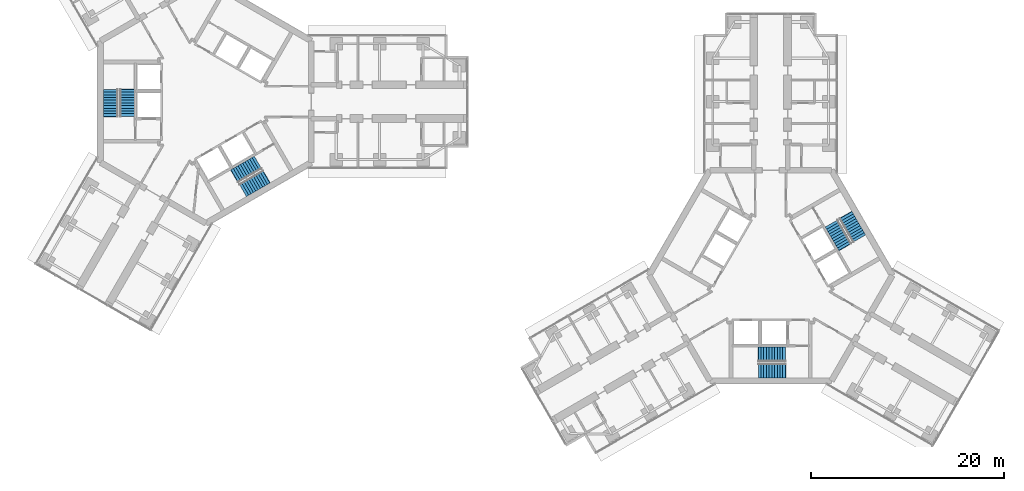
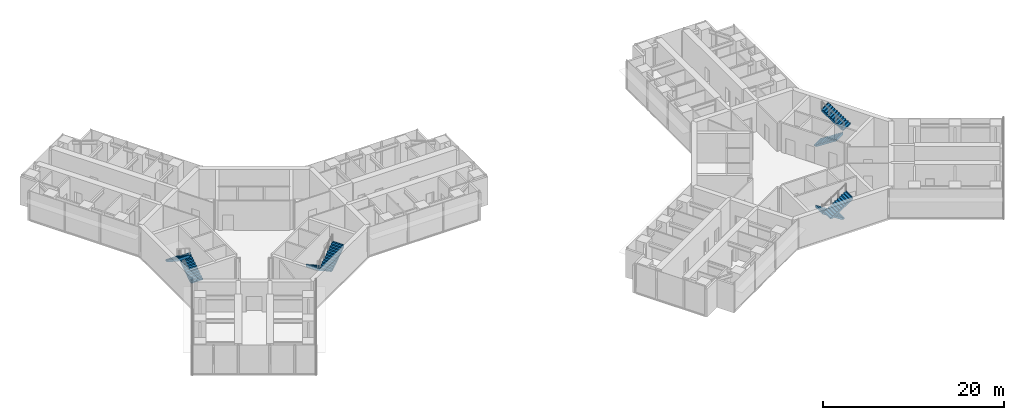
# One storey, part 21 of 22: 8 stair flights, 4 elements without a shape of their own.
"""IFC4 building model written with IfcOpenShell, lengths in metres."""

from ifc_helpers import new_model, si_unit, direction, frame, origin, place, context, subcontext, project, spatial, polyline, outline, extrude, material, type_object, element, aggregate, save


model = new_model("IFC4")

# Units and contexts
model_context = context("Model", 3, precision=1e-05, world=origin(), true_north=direction((0.0, 1.0)))
body_context = subcontext(model_context, "Body", "Model", "MODEL_VIEW")
ifc_project = project(units=[si_unit("LENGTHUNIT", "METRE"), si_unit("AREAUNIT", "SQUARE_METRE"), si_unit("VOLUMEUNIT", "CUBIC_METRE"), si_unit("PLANEANGLEUNIT", "RADIAN"), si_unit("MASSUNIT", "GRAM", prefix="KILO")], contexts=[model_context])

# Site, building, storey
site_placement = place(None, origin())
site = spatial("IfcSite", under=ifc_project, at=site_placement, CompositionType="ELEMENT")
building_placement = place(site_placement, origin())
building = spatial("IfcBuilding", under=site, at=building_placement, Name="Upepo Twin Towers", CompositionType="ELEMENT")
storey_placement = place(building_placement, frame((0.0, 0.0, 125.5)))
storey = spatial("IfcBuildingStorey", under=building, at=storey_placement, Name="L30", CompositionType="ELEMENT", Elevation=125.5)

# Stair, stair flights
ifc_material_1 = material(Name="Concrete C40/50", Category="concrete")
stair_type = type_object("IfcStairType", Name="Core stair, two flights", PredefinedType="HALF_TURN_STAIR", material=ifc_material_1)
stair_1_placement = place(storey_placement, origin())
stair_1 = element("IfcStair", 1, at=stair_1_placement, inside=storey, type_object=stair_type, Name="T1 stair S1 L30", PredefinedType="HALF_TURN_STAIR")
ifc_material_2 = material(Name="Concrete C40/50", Category="concrete")
stair_flight_type = type_object("IfcStairFlightType", Name="Stair flight 1500 RC", PredefinedType="STRAIGHT", material=ifc_material_2)
stair_flight_1_placement = place(storey_placement, frame((-8.14990234375, -1.52001953125, 0.0), z_axis=(0.0, 0.0, 1.0), x_axis=(0.0, 1.0, 0.0)))
stair_flight_1 = element("IfcStairFlight", 2, at=stair_flight_1_placement, type_object=stair_flight_type, Name="Stair S1 flight 1", NumberOfRisers=11, NumberOfTreads=10, PredefinedType="STRAIGHT", RiserHeight=0.181818182, TreadLength=0.28, context=body_context, shape_type="SweptSolid", body=[
    extrude(outline(polyline([(0.0, 0.0), (0.0, 0.181884765625), (0.280029296875, 0.181884765625), (0.280029296875, 0.363525390625), (0.56005859375, 0.363525390625), (0.56005859375, 0.54541015625), (0.840087890625, 0.54541015625), (0.840087890625, 0.727294921875), (1.1201171875, 0.727294921875), (1.1201171875, 0.9091796875), (1.39990234375, 0.9091796875), (1.39990234375, 1.0908203125), (1.679931640625, 1.0908203125), (1.679931640625, 1.272705078125), (1.9599609375, 1.272705078125), (1.9599609375, 1.45458984375), (2.239990234375, 1.45458984375), (2.239990234375, 1.636474609375), (2.52001953125, 1.636474609375), (2.52001953125, 1.818115234375), (2.800048828125, 1.818115234375), (2.800048828125, 2.0), (2.85009765625, 2.0), (2.85009765625, 1.639404296875), (0.3251953125, 0.0), (0.0, 0.0)])), frame((0.0, 0.75, 0.0), z_axis=(0.0, -1.0, 0.0), x_axis=(1.0, 0.0, 0.0)), (0.0, 0.0, 1.0), 1.5),
])
stair_flight_2_placement = place(storey_placement, frame((-9.8583984375, 1.280029296875, 2.0), z_axis=(0.0, 0.0, 1.0), x_axis=(0.0, -1.0, 0.0)))
stair_flight_2 = element("IfcStairFlight", 3, at=stair_flight_2_placement, type_object=stair_flight_type, Name="Stair S1 flight 2", NumberOfRisers=11, NumberOfTreads=10, PredefinedType="STRAIGHT", RiserHeight=0.181818182, TreadLength=0.28, context=body_context, shape_type="SweptSolid", body=[
    extrude(outline(polyline([(0.0, 0.0), (0.0, 0.181884765625), (0.280029296875, 0.181884765625), (0.280029296875, 0.363525390625), (0.56005859375, 0.363525390625), (0.56005859375, 0.54541015625), (0.840087890625, 0.54541015625), (0.840087890625, 0.727294921875), (1.1201171875, 0.727294921875), (1.1201171875, 0.9091796875), (1.39990234375, 0.9091796875), (1.39990234375, 1.0908203125), (1.679931640625, 1.0908203125), (1.679931640625, 1.272705078125), (1.9599609375, 1.272705078125), (1.9599609375, 1.45458984375), (2.239990234375, 1.45458984375), (2.239990234375, 1.636474609375), (2.52001953125, 1.636474609375), (2.52001953125, 1.818115234375), (2.800048828125, 1.818115234375), (2.800048828125, 2.0), (2.85009765625, 2.0), (2.85009765625, 1.639404296875), (0.3251953125, 0.0), (0.0, 0.0)])), frame((0.0, 0.75, 0.0), z_axis=(0.0, -1.0, 0.0), x_axis=(1.0, 0.0, 0.0)), (0.0, 0.0, 1.0), 1.5),
])
aggregate(stair_1, [stair_flight_1, stair_flight_2])

stair_2_placement = place(storey_placement, origin())
stair_2 = element("IfcStair", 4, at=stair_2_placement, inside=storey, type_object=stair_type, Name="T1 stair S2 L30", PredefinedType="HALF_TURN_STAIR")
stair_flight_3_placement = place(storey_placement, frame((5.391357421875, -6.298095703125, 0.0), z_axis=(0.0, 0.0, 1.0), x_axis=(-0.866025403784, -0.5, 0.0)))
stair_flight_3 = element("IfcStairFlight", 5, at=stair_flight_3_placement, type_object=stair_flight_type, Name="Stair S2 flight 1", NumberOfRisers=11, NumberOfTreads=10, PredefinedType="STRAIGHT", RiserHeight=0.181818182, TreadLength=0.28, context=body_context, shape_type="SweptSolid", body=[
    extrude(outline(polyline([(0.0, 0.0), (0.0, 0.181884765625), (0.280029296875, 0.181884765625), (0.280029296875, 0.363525390625), (0.56005859375, 0.363525390625), (0.56005859375, 0.54541015625), (0.840087890625, 0.54541015625), (0.840087890625, 0.727294921875), (1.1201171875, 0.727294921875), (1.1201171875, 0.9091796875), (1.39990234375, 0.9091796875), (1.39990234375, 1.0908203125), (1.679931640625, 1.0908203125), (1.679931640625, 1.272705078125), (1.9599609375, 1.272705078125), (1.9599609375, 1.45458984375), (2.239990234375, 1.45458984375), (2.239990234375, 1.636474609375), (2.52001953125, 1.636474609375), (2.52001953125, 1.818115234375), (2.800048828125, 1.818115234375), (2.800048828125, 2.0), (2.85009765625, 2.0), (2.85009765625, 1.639404296875), (0.3251953125, 0.0), (0.0, 0.0)])), frame((0.0, 0.75, 0.0), z_axis=(0.0, -1.0, 0.0), x_axis=(1.0, 0.0, 0.0)), (0.0, 0.0, 1.0), 1.5),
])
stair_flight_4_placement = place(storey_placement, frame((3.820556640625, -9.177490234375, 2.0), z_axis=(0.0, 0.0, 1.0), x_axis=(0.866025403784, 0.5, 0.0)))
stair_flight_4 = element("IfcStairFlight", 6, at=stair_flight_4_placement, type_object=stair_flight_type, Name="Stair S2 flight 2", NumberOfRisers=11, NumberOfTreads=10, PredefinedType="STRAIGHT", RiserHeight=0.181818182, TreadLength=0.28, context=body_context, shape_type="SweptSolid", body=[
    extrude(outline(polyline([(0.0, 0.0), (0.0, 0.181884765625), (0.280029296875, 0.181884765625), (0.280029296875, 0.363525390625), (0.56005859375, 0.363525390625), (0.56005859375, 0.54541015625), (0.840087890625, 0.54541015625), (0.840087890625, 0.727294921875), (1.1201171875, 0.727294921875), (1.1201171875, 0.9091796875), (1.39990234375, 0.9091796875), (1.39990234375, 1.0908203125), (1.679931640625, 1.0908203125), (1.679931640625, 1.272705078125), (1.9599609375, 1.272705078125), (1.9599609375, 1.45458984375), (2.239990234375, 1.45458984375), (2.239990234375, 1.636474609375), (2.52001953125, 1.636474609375), (2.52001953125, 1.818115234375), (2.800048828125, 1.818115234375), (2.800048828125, 2.0), (2.85009765625, 2.0), (2.85009765625, 1.639404296875), (0.3251953125, 0.0), (0.0, 0.0)])), frame((0.0, 0.75, 0.0), z_axis=(0.0, -1.0, 0.0), x_axis=(1.0, 0.0, 0.0)), (0.0, 0.0, 1.0), 1.5),
])
aggregate(stair_2, [stair_flight_3, stair_flight_4])

stair_3_placement = place(storey_placement, origin())
stair_3 = element("IfcStair", 7, at=stair_3_placement, inside=storey, type_object=stair_type, Name="T2 stair S1 L30", PredefinedType="HALF_TURN_STAIR")
stair_flight_5_placement = place(storey_placement, frame((60.02001953125, -26.14990234375, 0.0), z_axis=(0.0, 0.0, 1.0), x_axis=(-1.0, 0.0, 0.0)))
stair_flight_5 = element("IfcStairFlight", 8, at=stair_flight_5_placement, type_object=stair_flight_type, Name="Stair S1 flight 1", NumberOfRisers=11, NumberOfTreads=10, PredefinedType="STRAIGHT", RiserHeight=0.181818182, TreadLength=0.28, context=body_context, shape_type="SweptSolid", body=[
    extrude(outline(polyline([(0.0, 0.0), (0.0, 0.181884765625), (0.280029296875, 0.181884765625), (0.280029296875, 0.363525390625), (0.56005859375, 0.363525390625), (0.56005859375, 0.54541015625), (0.840087890625, 0.54541015625), (0.840087890625, 0.727294921875), (1.1201171875, 0.727294921875), (1.1201171875, 0.9091796875), (1.39990234375, 0.9091796875), (1.39990234375, 1.0908203125), (1.679931640625, 1.0908203125), (1.679931640625, 1.272705078125), (1.9599609375, 1.272705078125), (1.9599609375, 1.45458984375), (2.239990234375, 1.45458984375), (2.239990234375, 1.636474609375), (2.52001953125, 1.636474609375), (2.52001953125, 1.818115234375), (2.800048828125, 1.818115234375), (2.800048828125, 2.0), (2.85009765625, 2.0), (2.85009765625, 1.639404296875), (0.3251953125, 0.0), (0.0, 0.0)])), frame((0.0, 0.75, 0.0), z_axis=(0.0, -1.0, 0.0), x_axis=(1.0, 0.0, 0.0)), (0.0, 0.0, 1.0), 1.5),
])
stair_flight_6_placement = place(storey_placement, frame((57.219970703125, -27.8583984375, 2.0), z_axis=(0.0, 0.0, 1.0), x_axis=(1.0, 0.0, 0.0)))
stair_flight_6 = element("IfcStairFlight", 9, at=stair_flight_6_placement, type_object=stair_flight_type, Name="Stair S1 flight 2", NumberOfRisers=11, NumberOfTreads=10, PredefinedType="STRAIGHT", RiserHeight=0.181818182, TreadLength=0.28, context=body_context, shape_type="SweptSolid", body=[
    extrude(outline(polyline([(0.0, 0.0), (0.0, 0.181884765625), (0.280029296875, 0.181884765625), (0.280029296875, 0.363525390625), (0.56005859375, 0.363525390625), (0.56005859375, 0.54541015625), (0.840087890625, 0.54541015625), (0.840087890625, 0.727294921875), (1.1201171875, 0.727294921875), (1.1201171875, 0.9091796875), (1.39990234375, 0.9091796875), (1.39990234375, 1.0908203125), (1.679931640625, 1.0908203125), (1.679931640625, 1.272705078125), (1.9599609375, 1.272705078125), (1.9599609375, 1.45458984375), (2.239990234375, 1.45458984375), (2.239990234375, 1.636474609375), (2.52001953125, 1.636474609375), (2.52001953125, 1.818115234375), (2.800048828125, 1.818115234375), (2.800048828125, 2.0), (2.85009765625, 2.0), (2.85009765625, 1.639404296875), (0.3251953125, 0.0), (0.0, 0.0)])), frame((0.0, 0.75, 0.0), z_axis=(0.0, -1.0, 0.0), x_axis=(1.0, 0.0, 0.0)), (0.0, 0.0, 1.0), 1.5),
])
aggregate(stair_3, [stair_flight_5, stair_flight_6])

stair_4_placement = place(storey_placement, origin())
stair_4 = element("IfcStair", 10, at=stair_4_placement, inside=storey, type_object=stair_type, Name="T2 stair S2 L30", PredefinedType="HALF_TURN_STAIR")
stair_flight_7_placement = place(storey_placement, frame((64.798095703125, -12.608642578125, 0.0), z_axis=(0.0, 0.0, 1.0), x_axis=(0.5, -0.866025403784, 0.0)))
stair_flight_7 = element("IfcStairFlight", 11, at=stair_flight_7_placement, type_object=stair_flight_type, Name="Stair S2 flight 1", NumberOfRisers=11, NumberOfTreads=10, PredefinedType="STRAIGHT", RiserHeight=0.181818182, TreadLength=0.28, context=body_context, shape_type="SweptSolid", body=[
    extrude(outline(polyline([(0.0, 0.0), (0.0, 0.181884765625), (0.280029296875, 0.181884765625), (0.280029296875, 0.363525390625), (0.56005859375, 0.363525390625), (0.56005859375, 0.54541015625), (0.840087890625, 0.54541015625), (0.840087890625, 0.727294921875), (1.1201171875, 0.727294921875), (1.1201171875, 0.9091796875), (1.39990234375, 0.9091796875), (1.39990234375, 1.0908203125), (1.679931640625, 1.0908203125), (1.679931640625, 1.272705078125), (1.9599609375, 1.272705078125), (1.9599609375, 1.45458984375), (2.239990234375, 1.45458984375), (2.239990234375, 1.636474609375), (2.52001953125, 1.636474609375), (2.52001953125, 1.818115234375), (2.800048828125, 1.818115234375), (2.800048828125, 2.0), (2.85009765625, 2.0), (2.85009765625, 1.639404296875), (0.3251953125, 0.0), (0.0, 0.0)])), frame((0.0, 0.75, 0.0), z_axis=(0.0, -1.0, 0.0), x_axis=(1.0, 0.0, 0.0)), (0.0, 0.0, 1.0), 1.5),
])
stair_flight_8_placement = place(storey_placement, frame((67.677490234375, -14.179443359375, 2.0), z_axis=(0.0, 0.0, 1.0), x_axis=(-0.5, 0.866025403784, 0.0)))
stair_flight_8 = element("IfcStairFlight", 12, at=stair_flight_8_placement, type_object=stair_flight_type, Name="Stair S2 flight 2", NumberOfRisers=11, NumberOfTreads=10, PredefinedType="STRAIGHT", RiserHeight=0.181818182, TreadLength=0.28, context=body_context, shape_type="SweptSolid", body=[
    extrude(outline(polyline([(0.0, 0.0), (0.0, 0.181884765625), (0.280029296875, 0.181884765625), (0.280029296875, 0.363525390625), (0.56005859375, 0.363525390625), (0.56005859375, 0.54541015625), (0.840087890625, 0.54541015625), (0.840087890625, 0.727294921875), (1.1201171875, 0.727294921875), (1.1201171875, 0.9091796875), (1.39990234375, 0.9091796875), (1.39990234375, 1.0908203125), (1.679931640625, 1.0908203125), (1.679931640625, 1.272705078125), (1.9599609375, 1.272705078125), (1.9599609375, 1.45458984375), (2.239990234375, 1.45458984375), (2.239990234375, 1.636474609375), (2.52001953125, 1.636474609375), (2.52001953125, 1.818115234375), (2.800048828125, 1.818115234375), (2.800048828125, 2.0), (2.85009765625, 2.0), (2.85009765625, 1.639404296875), (0.3251953125, 0.0), (0.0, 0.0)])), frame((0.0, 0.75, 0.0), z_axis=(0.0, -1.0, 0.0), x_axis=(1.0, 0.0, 0.0)), (0.0, 0.0, 1.0), 1.5),
])
aggregate(stair_4, [stair_flight_7, stair_flight_8])

save(model, "model.ifc")
